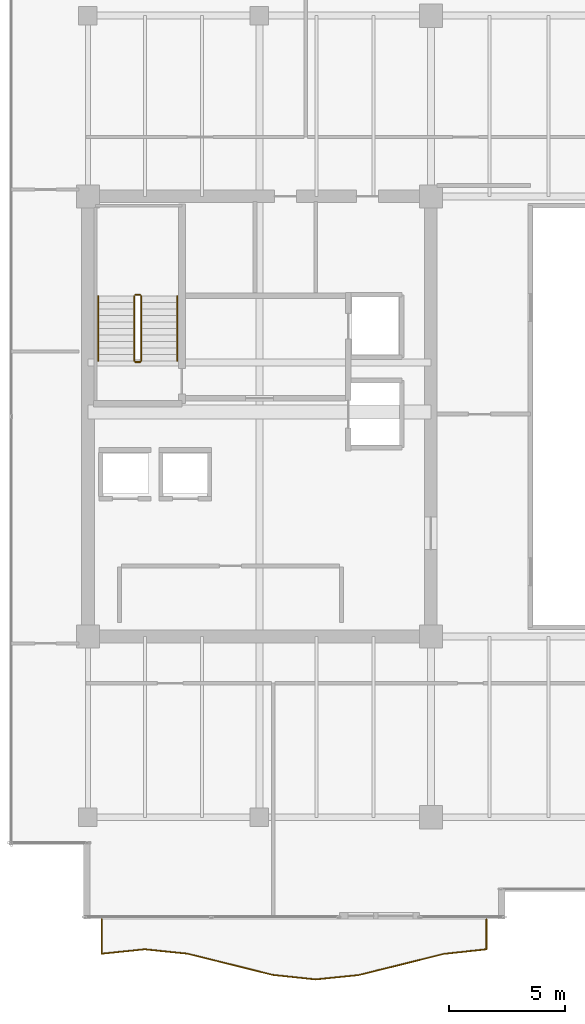
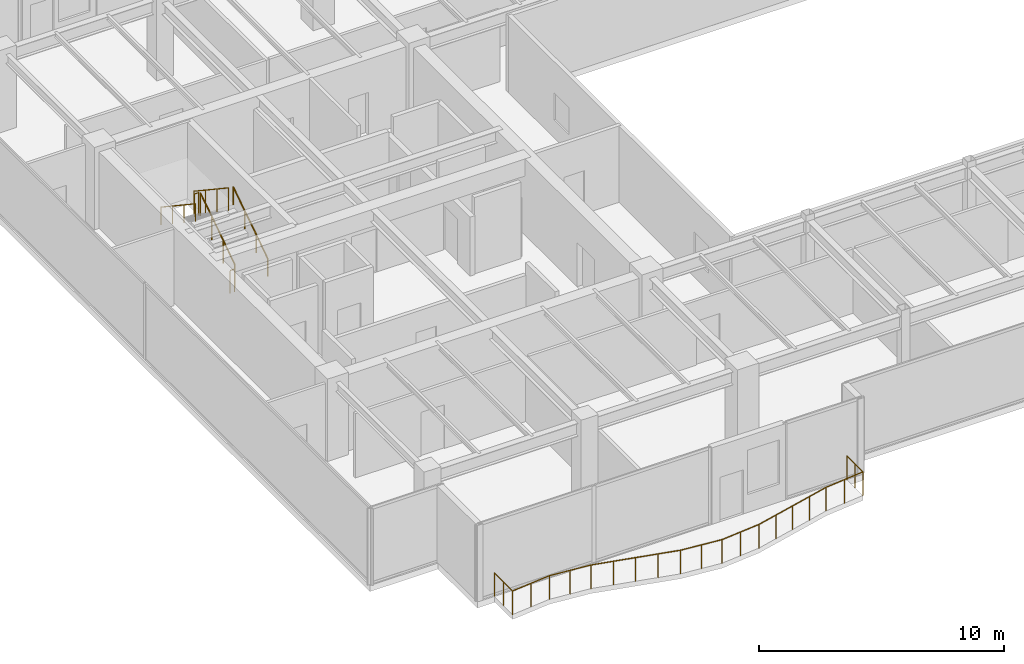
# One storey, part 32 of 34: 7 railings.
"""IFC4 building model written with IfcOpenShell, lengths in metres."""

from ifc_helpers import new_model, si_unit, direction, frame, origin, origin_2d, place, context, subcontext, project, spatial, circle, extrude, source, transform, mapped, material, type_object, type_shapes, element, save


model = new_model("IFC4")

# Units and contexts
model_context = context("Model", 3, precision=1e-05, world=origin(), true_north=direction((0.0, 1.0)))
body_context = subcontext(model_context, "Body", "Model", "MODEL_VIEW")
ifc_project = project(units=[si_unit("LENGTHUNIT", "METRE"), si_unit("AREAUNIT", "SQUARE_METRE"), si_unit("VOLUMEUNIT", "CUBIC_METRE"), si_unit("PLANEANGLEUNIT", "RADIAN"), si_unit("MASSUNIT", "GRAM", prefix="KILO")], contexts=[model_context])

# Site, building, storey
site_placement = place(None, origin())
site = spatial("IfcSite", under=ifc_project, at=site_placement, CompositionType="ELEMENT")
building_placement = place(site_placement, origin())
building = spatial("IfcBuilding", under=site, at=building_placement, Name="Haelvirn Gate Laboratories", CompositionType="ELEMENT")
storey_placement = place(building_placement, frame((0.0, 0.0, 246.5)))
storey = spatial("IfcBuildingStorey", under=building, at=storey_placement, Name="L59", CompositionType="ELEMENT", Elevation=246.5)

# Railings
ifc_material_1 = material(Name="Laminated safety glass & bronze stainless steel 316L", Category="steel")
railing_type_1 = type_object("IfcRailingType", Name="RLG-BAL-1200", PredefinedType="BALUSTRADE", material=ifc_material_1)
shared_shape_1 = source(origin(), body_context, "Body", "SweptSolid", [
    extrude(circle(Radius=0.02392578125, at=origin_2d()), frame((0.0, 0.0, 1.17578125), z_axis=(0.0, -1.0, 0.0), x_axis=(1.0, 0.0, 0.0)), (0.0, 0.0, 1.0), 1.490478515625),
    extrude(circle(Radius=0.02392578125, at=origin_2d()), frame((0.0, -1.490478515625, 1.17578125), z_axis=(0.994712684442, 0.102697007792, 0.0), x_axis=(-0.102697007792, 0.994712684442, 0.0)), (0.0, 0.0, 1.0), 1.854248046875),
    extrude(circle(Radius=0.02392578125, at=origin_2d()), frame((1.844482421875, -1.300048828125, 1.17578125), z_axis=(0.994833056912, -0.101524326523, 0.0), x_axis=(0.101524326523, 0.994833056912, 0.0)), (0.0, 0.0, 1.0), 1.85400390625),
    extrude(circle(Radius=0.02392578125, at=origin_2d()), frame((3.68896484375, -1.48828125, 1.17578125), z_axis=(0.970609297904, -0.240660738016, 0.0), x_axis=(0.240660738016, 0.970609297904, 0.0)), (0.0, 0.0, 1.0), 1.900146484375),
    extrude(circle(Radius=0.02392578125, at=origin_2d()), frame((5.533203125, -1.945556640625, 1.17578125), z_axis=(0.970285869245, -0.24196142656, 0.0), x_axis=(0.24196142656, 0.970285869245, 0.0)), (0.0, 0.0, 1.0), 1.90087890625),
    extrude(circle(Radius=0.02392578125, at=origin_2d()), frame((7.377685546875, -2.405517578125, 1.17578125), z_axis=(0.99448162522, -0.104910900768, 0.0), x_axis=(0.104910900768, 0.99448162522, 0.0)), (0.0, 0.0, 1.0), 1.854736328125),
    extrude(circle(Radius=0.02392578125, at=origin_2d()), frame((9.22216796875, -2.60009765625, 1.17578125), z_axis=(0.99506973831, 0.099177698603, 0.0), x_axis=(-0.099177698603, 0.99506973831, 0.0)), (0.0, 0.0, 1.0), 1.853515625),
    extrude(circle(Radius=0.02392578125, at=origin_2d()), frame((11.066650390625, -2.416259765625, 1.17578125), z_axis=(0.970826457727, 0.239783212458, 0.0), x_axis=(-0.239783212458, 0.970826457727, 0.0)), (0.0, 0.0, 1.0), 1.89990234375),
    extrude(circle(Radius=0.02392578125, at=origin_2d()), frame((12.9111328125, -1.960693359375, 1.17578125), z_axis=(0.970104722015, 0.242686687572, 0.0), x_axis=(-0.242686687572, 0.970104722015, 0.0)), (0.0, 0.0, 1.0), 1.9013671875),
    extrude(circle(Radius=0.02392578125, at=origin_2d()), frame((14.755615234375, -1.499267578125, 1.17578125), z_axis=(0.994231725841, 0.107253323171, 0.0), x_axis=(-0.107253323171, 0.994231725841, 0.0)), (0.0, 0.0, 1.0), 1.855224609375),
    extrude(circle(Radius=0.02392578125, at=origin_2d()), frame((16.60009765625, -1.30029296875, 1.17578125), z_axis=(0.0, 1.0, 0.0), x_axis=(-1.0, 0.0, 0.0)), (0.0, 0.0, 1.0), 1.30029296875),
    extrude(circle(Radius=0.02099609375, at=origin_2d()), origin(), (0.0, 0.0, 1.0), 1.15185546875),
    extrude(circle(Radius=0.02099609375, at=origin_2d()), frame((0.0, -0.7451171875, 0.0)), (0.0, 0.0, 1.0), 1.15185546875),
    extrude(circle(Radius=0.02099609375, at=origin_2d()), frame((0.0, -1.490478515625, 0.0)), (0.0, 0.0, 1.0), 1.15185546875),
    extrude(circle(Radius=0.02099609375, at=origin_2d()), frame((0.92236328125, -1.395263671875, 0.0)), (0.0, 0.0, 1.0), 1.15185546875),
    extrude(circle(Radius=0.02099609375, at=origin_2d()), frame((1.844482421875, -1.300048828125, 0.0)), (0.0, 0.0, 1.0), 1.15185546875),
    extrude(circle(Radius=0.02099609375, at=origin_2d()), frame((2.7666015625, -1.39404296875, 0.0)), (0.0, 0.0, 1.0), 1.15185546875),
    extrude(circle(Radius=0.02099609375, at=origin_2d()), frame((3.68896484375, -1.48828125, 0.0)), (0.0, 0.0, 1.0), 1.15185546875),
    extrude(circle(Radius=0.02099609375, at=origin_2d()), frame((4.611083984375, -1.716796875, 0.0)), (0.0, 0.0, 1.0), 1.15185546875),
    extrude(circle(Radius=0.02099609375, at=origin_2d()), frame((5.533203125, -1.945556640625, 0.0)), (0.0, 0.0, 1.0), 1.15185546875),
    extrude(circle(Radius=0.02099609375, at=origin_2d()), frame((6.45556640625, -2.175537109375, 0.0)), (0.0, 0.0, 1.0), 1.15185546875),
    extrude(circle(Radius=0.02099609375, at=origin_2d()), frame((7.377685546875, -2.405517578125, 0.0)), (0.0, 0.0, 1.0), 1.15185546875),
    extrude(circle(Radius=0.02099609375, at=origin_2d()), frame((8.2998046875, -2.5029296875, 0.0)), (0.0, 0.0, 1.0), 1.15185546875),
    extrude(circle(Radius=0.02099609375, at=origin_2d()), frame((9.22216796875, -2.60009765625, 0.0)), (0.0, 0.0, 1.0), 1.15185546875),
    extrude(circle(Radius=0.02099609375, at=origin_2d()), frame((10.14453125, -2.50830078125, 0.0)), (0.0, 0.0, 1.0), 1.15185546875),
    extrude(circle(Radius=0.02099609375, at=origin_2d()), frame((11.066650390625, -2.416259765625, 0.0)), (0.0, 0.0, 1.0), 1.15185546875),
    extrude(circle(Radius=0.02099609375, at=origin_2d()), frame((11.98876953125, -2.1884765625, 0.0)), (0.0, 0.0, 1.0), 1.15185546875),
    extrude(circle(Radius=0.02099609375, at=origin_2d()), frame((12.9111328125, -1.960693359375, 0.0)), (0.0, 0.0, 1.0), 1.15185546875),
    extrude(circle(Radius=0.02099609375, at=origin_2d()), frame((13.83349609375, -1.72998046875, 0.0)), (0.0, 0.0, 1.0), 1.15185546875),
    extrude(circle(Radius=0.02099609375, at=origin_2d()), frame((14.755615234375, -1.499267578125, 0.0)), (0.0, 0.0, 1.0), 1.15185546875),
    extrude(circle(Radius=0.02099609375, at=origin_2d()), frame((15.677734375, -1.39990234375, 0.0)), (0.0, 0.0, 1.0), 1.15185546875),
    extrude(circle(Radius=0.02099609375, at=origin_2d()), frame((16.60009765625, -1.30029296875, 0.0)), (0.0, 0.0, 1.0), 1.15185546875),
    extrude(circle(Radius=0.02099609375, at=origin_2d()), frame((16.60009765625, -0.650146484375, 0.0)), (0.0, 0.0, 1.0), 1.15185546875),
    extrude(circle(Radius=0.02099609375, at=origin_2d()), frame((16.60009765625, 0.0, 0.0)), (0.0, 0.0, 1.0), 1.15185546875),
])
type_shapes(railing_type_1, [shared_shape_1])
railing_1_placement = place(storey_placement, frame((8.0, 2.60009765625, 0.0)))
element("IfcRailing", 1, at=railing_1_placement, inside=storey, type_object=railing_type_1, Name="L59 Wave Balcony Balustrade WL-S", PredefinedType="BALUSTRADE", context=body_context, shape_type="MappedRepresentation", body=[
    mapped(shared_shape_1, transform((0.0, 0.0, 0.0), scale=1.0)),
])
ifc_material_2 = material(Name="Galvanised steel SM355 & stainless top rail", Category="steel")
railing_type_2 = type_object("IfcRailingType", Name="RL-GUARD-1150", PredefinedType="GUARDRAIL", material=ifc_material_2)
shared_shape_2 = source(origin(), body_context, "Body", "SweptSolid", [
    extrude(circle(Radius=0.02392578125, at=origin_2d()), frame((0.0, 0.0, 1.1259765625), z_axis=(-1.0, 0.0, 0.0), x_axis=(0.0, -1.0, 0.0)), (0.0, 0.0, 1.0), 0.199951171875),
    extrude(circle(Radius=0.02099609375, at=origin_2d()), origin(), (0.0, 0.0, 1.0), 1.101806640625),
    extrude(circle(Radius=0.02099609375, at=origin_2d()), frame((-0.199951171875, 0.0, 0.0)), (0.0, 0.0, 1.0), 1.101806640625),
])
for number, where, name in (
    (2, (9.64990234375, 29.550048828125, 2.050048828125), "L59 ST1 stair guard 2"),
    (3, (9.64990234375, 26.64990234375, 0.0), "L59 ST1 stair guard 4"),
):
    element("IfcRailing", number, at=place(storey_placement, frame(where)), inside=storey, type_object=railing_type_2, Name=name, PredefinedType="GUARDRAIL", context=body_context, shape_type="MappedRepresentation", body=[
        mapped(shared_shape_2, transform((0.0, 0.0, 0.0), scale=1.0)),
    ])
shared_shape_3 = source(origin(), body_context, "Body", "SweptSolid", [
    extrude(circle(Radius=0.02392578125, at=origin_2d()), frame((0.0, 0.0, 1.1259765625), z_axis=(0.0, -0.832452072856, 0.554097055034), x_axis=(1.0, 0.0, 0.0)), (0.0, 0.0, 1.0), 3.363525390625),
    extrude(circle(Radius=0.02099609375, at=origin_2d()), origin(), (0.0, 0.0, 1.0), 1.101806640625),
    extrude(circle(Radius=0.02099609375, at=origin_2d()), frame((0.0, -0.933349609375, 0.621337890625)), (0.0, 0.0, 1.0), 1.101806640625),
    extrude(circle(Radius=0.02099609375, at=origin_2d()), frame((0.0, -1.86669921875, 1.242431640625)), (0.0, 0.0, 1.0), 1.101806640625),
    extrude(circle(Radius=0.02099609375, at=origin_2d()), frame((0.0, -2.800048828125, 1.86376953125)), (0.0, 0.0, 1.0), 1.101806640625),
])
railing_2_placement = place(storey_placement, frame((9.39990234375, 29.5, 2.236328125)))
element("IfcRailing", 4, at=railing_2_placement, inside=storey, type_object=railing_type_2, Name="L59 ST1 stair guard 3", PredefinedType="GUARDRAIL", context=body_context, shape_type="MappedRepresentation", body=[
    mapped(shared_shape_3, transform((0.0, 0.0, 0.0), scale=1.0)),
])
ifc_material_3 = material(Name="Brushed stainless steel 316L", Category="steel")
railing_type_3 = type_object("IfcRailingType", Name="RL-HAND-920", PredefinedType="HANDRAIL", material=ifc_material_3)
shared_shape_4 = source(origin(), body_context, "Body", "SweptSolid", [
    extrude(circle(Radius=0.02392578125, at=origin_2d()), frame((0.0, 0.0, 0.8759765625), z_axis=(0.0, -0.832452072856, 0.554097055034), x_axis=(1.0, 0.0, 0.0)), (0.0, 0.0, 1.0), 3.363525390625),
    extrude(circle(Radius=0.02099609375, at=origin_2d()), origin(), (0.0, 0.0, 1.0), 0.851806640625),
    extrude(circle(Radius=0.02099609375, at=origin_2d()), frame((0.0, -0.933349609375, 0.621337890625)), (0.0, 0.0, 1.0), 0.851806640625),
    extrude(circle(Radius=0.02099609375, at=origin_2d()), frame((0.0, -1.86669921875, 1.242431640625)), (0.0, 0.0, 1.0), 0.851806640625),
    extrude(circle(Radius=0.02099609375, at=origin_2d()), frame((0.0, -2.800048828125, 1.86376953125)), (0.0, 0.0, 1.0), 0.851806640625),
])
railing_3_placement = place(storey_placement, frame((7.85009765625, 29.5, 2.236328125)))
element("IfcRailing", 5, at=railing_3_placement, inside=storey, type_object=railing_type_3, Name="L59 ST1 stair handrail 2", PredefinedType="HANDRAIL", context=body_context, shape_type="MappedRepresentation", body=[
    mapped(shared_shape_4, transform((0.0, 0.0, 0.0), scale=1.0)),
])
shared_shape_5 = source(origin(), body_context, "Body", "SweptSolid", [
    extrude(circle(Radius=0.02392578125, at=origin_2d()), frame((0.0, 0.0, 1.1259765625), z_axis=(0.0, 0.832452072856, 0.554097055034), x_axis=(-1.0, 0.0, 0.0)), (0.0, 0.0, 1.0), 3.363525390625),
    extrude(circle(Radius=0.02099609375, at=origin_2d()), origin(), (0.0, 0.0, 1.0), 1.101806640625),
    extrude(circle(Radius=0.02099609375, at=origin_2d()), frame((0.0, 0.933349609375, 0.621337890625)), (0.0, 0.0, 1.0), 1.101806640625),
    extrude(circle(Radius=0.02099609375, at=origin_2d()), frame((0.0, 1.86669921875, 1.242431640625)), (0.0, 0.0, 1.0), 1.101806640625),
    extrude(circle(Radius=0.02099609375, at=origin_2d()), frame((0.0, 2.800048828125, 1.86376953125)), (0.0, 0.0, 1.0), 1.101806640625),
])
type_shapes(railing_type_2, [shared_shape_2, shared_shape_3, shared_shape_5])
railing_4_placement = place(storey_placement, frame((9.699951171875, 26.699951171875, 0.186279296875)))
element("IfcRailing", 6, at=railing_4_placement, inside=storey, type_object=railing_type_2, Name="L59 ST1 stair guard 1", PredefinedType="GUARDRAIL", context=body_context, shape_type="MappedRepresentation", body=[
    mapped(shared_shape_5, transform((0.0, 0.0, 0.0), scale=1.0)),
])
shared_shape_6 = source(origin(), body_context, "Body", "SweptSolid", [
    extrude(circle(Radius=0.02392578125, at=origin_2d()), frame((0.0, 0.0, 0.8759765625), z_axis=(0.0, 0.832452072856, 0.554097055034), x_axis=(-1.0, 0.0, 0.0)), (0.0, 0.0, 1.0), 3.363525390625),
    extrude(circle(Radius=0.02099609375, at=origin_2d()), origin(), (0.0, 0.0, 1.0), 0.851806640625),
    extrude(circle(Radius=0.02099609375, at=origin_2d()), frame((0.0, 0.933349609375, 0.621337890625)), (0.0, 0.0, 1.0), 0.851806640625),
    extrude(circle(Radius=0.02099609375, at=origin_2d()), frame((0.0, 1.86669921875, 1.242431640625)), (0.0, 0.0, 1.0), 0.851806640625),
    extrude(circle(Radius=0.02099609375, at=origin_2d()), frame((0.0, 2.800048828125, 1.86376953125)), (0.0, 0.0, 1.0), 0.851806640625),
])
type_shapes(railing_type_3, [shared_shape_4, shared_shape_6])
railing_5_placement = place(storey_placement, frame((11.25, 26.699951171875, 0.186279296875)))
element("IfcRailing", 7, at=railing_5_placement, inside=storey, type_object=railing_type_3, Name="L59 ST1 stair handrail 1", PredefinedType="HANDRAIL", context=body_context, shape_type="MappedRepresentation", body=[
    mapped(shared_shape_6, transform((0.0, 0.0, 0.0), scale=1.0)),
])

save(model, "model.ifc")
